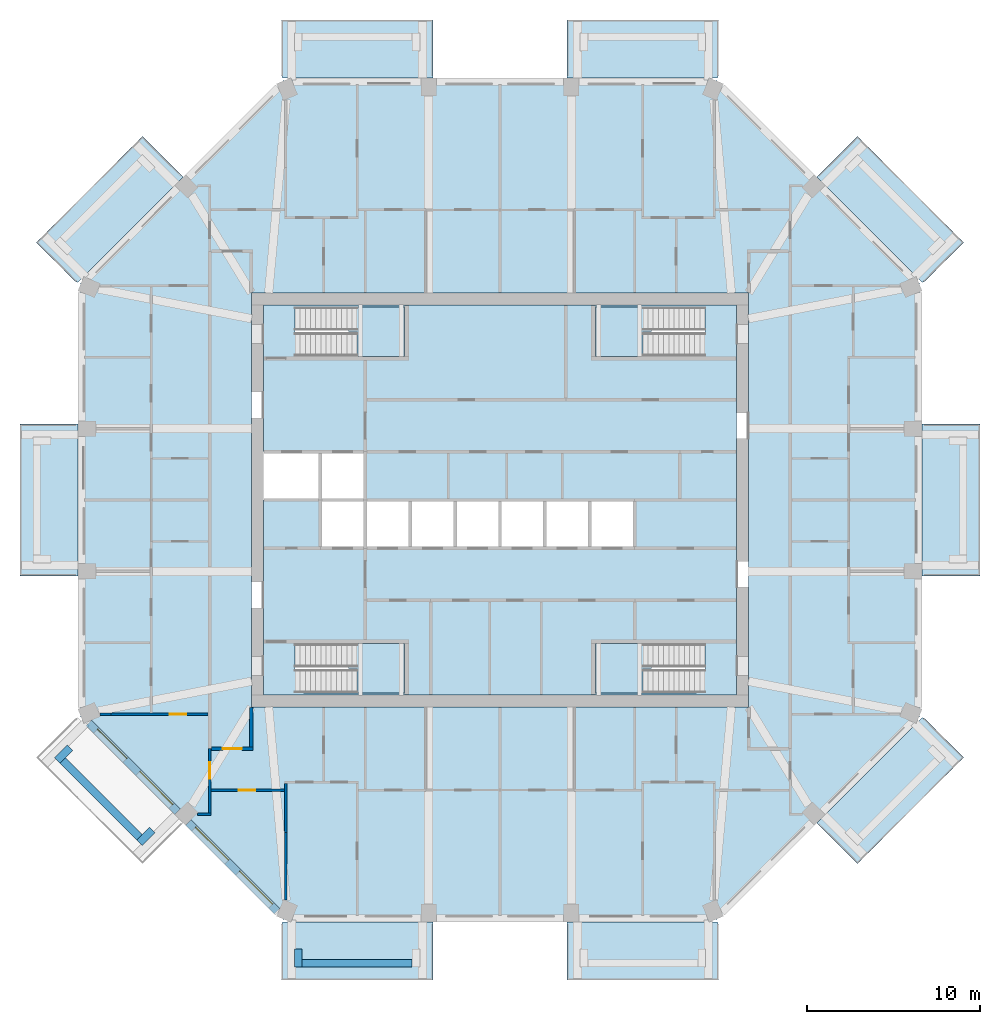
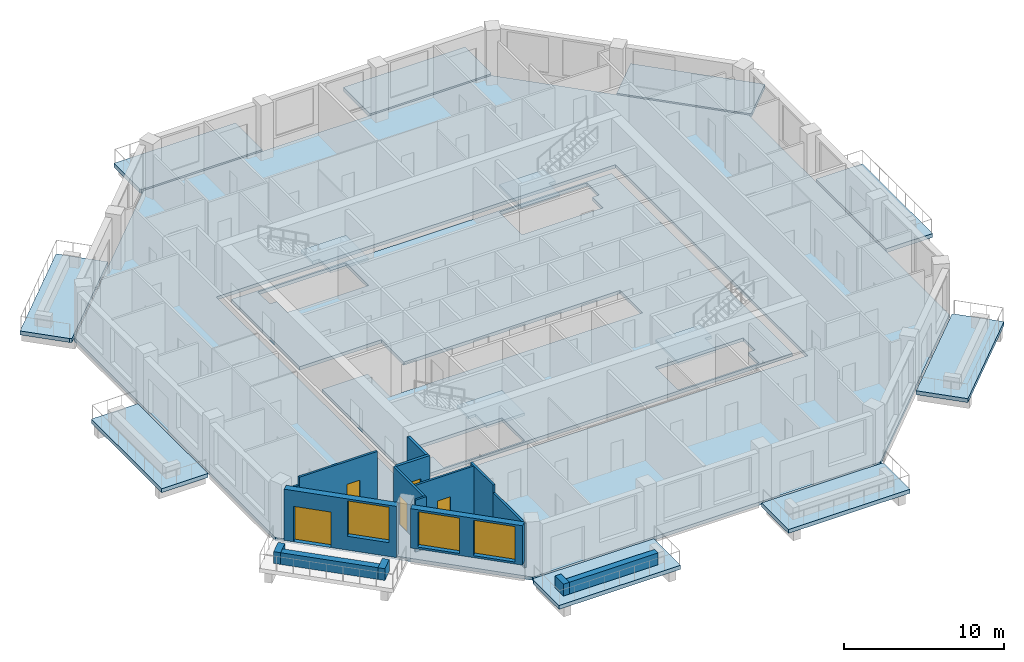
# One storey, part 2 of 12: 16 walls, 15 slabs, 5 doors, 3 windows, 8 openings, 4 elements without a shape of their own.
"""IFC4 building model written with IfcOpenShell, lengths in metres."""

from ifc_helpers import new_model, si_unit, direction, frame, frame_2d, origin, place, context, subcontext, project, spatial, polyline, rectangle, outline, extrude, material, layer, layer_set, type_object, element, fill, aggregate, save


model = new_model("IFC4")

# Units and contexts
model_context = context("Model", 3, precision=1e-05, world=origin(), true_north=direction((0.0, 1.0)))
body_context = subcontext(model_context, "Body", "Model", "MODEL_VIEW")
ifc_project = project(units=[si_unit("LENGTHUNIT", "METRE"), si_unit("AREAUNIT", "SQUARE_METRE"), si_unit("VOLUMEUNIT", "CUBIC_METRE"), si_unit("PLANEANGLEUNIT", "RADIAN"), si_unit("MASSUNIT", "GRAM", prefix="KILO")], contexts=[model_context])

# Site, building, storey
site_placement = place(None, origin())
site = spatial("IfcSite", under=ifc_project, at=site_placement, CompositionType="ELEMENT")
building_placement = place(site_placement, origin())
building = spatial("IfcBuilding", under=site, at=building_placement, Name="Msitu Wima Residences", CompositionType="ELEMENT")
storey_placement = place(building_placement, frame((0.0, 0.0, 174.89990234375)))
storey = spatial("IfcBuildingStorey", under=building, at=storey_placement, Name="L40", CompositionType="ELEMENT", Elevation=174.89990234375)

# Slabs
ifc_material_1 = material(Name="Concrete C40/50", Category="concrete")
ifc_layer_1 = layer(ifc_material_1, 0.300048828125)
ifc_layer_set_1 = layer_set([ifc_layer_1], Name="Concrete C40/50")
slab_type_1 = type_object("IfcSlabType", Name="Balcony slab BS300", PredefinedType="FLOOR", material=ifc_layer_set_1)
slab_1_placement = place(storey_placement, frame((0.0, 0.0, -0.2998046875)))
element("IfcSlab", 1, at=slab_1_placement, inside=storey, type_object=slab_type_1, Name="Balcony E1 L40", PredefinedType="FLOOR", context=body_context, shape_type="SweptSolid", body=[
    extrude(outline(polyline([(24.449951171875, 3.687255859375), (24.449951171875, 4.38720703125), (27.800048828125, 4.38720703125), (27.800048828125, -4.38720703125), (24.449951171875, -4.38720703125), (24.449951171875, -3.687255859375), (24.449951171875, -3.687255859375), (24.449951171875, 3.687255859375)])), origin(), (0.0, 0.0, 1.0), 0.2998046875),
])
slab_2_placement = place(storey_placement, frame((0.0, 0.0, -0.2998046875)))
element("IfcSlab", 2, at=slab_2_placement, inside=storey, type_object=slab_type_1, Name="Balcony NE0 L40", PredefinedType="FLOOR", context=body_context, shape_type="SweptSolid", body=[
    extrude(outline(polyline([(24.10546875, 12.942626953125), (24.10546875, 12.942626953125), (18.347412109375, 18.700927734375), (20.716064453125, 21.069580078125), (26.86376953125, 14.922119140625), (24.603515625, 12.661865234375), (24.449951171875, 12.59814453125), (24.10546875, 12.942626953125), (24.10546875, 12.942626953125)])), origin(), (0.0, 0.0, 1.0), 0.2998046875),
])
slab_3_placement = place(storey_placement, frame((0.0, 0.0, -0.2998046875)))
element("IfcSlab", 3, at=slab_3_placement, inside=storey, type_object=slab_type_1, Name="Balcony N0 L40", PredefinedType="FLOOR", context=body_context, shape_type="SweptSolid", body=[
    extrude(outline(polyline([(12.111083984375, 24.449951171875), (12.111083984375, 24.449951171875), (4.587158203125, 24.449951171875), (3.88720703125, 24.449951171875), (3.88720703125, 27.800048828125), (12.661865234375, 27.800048828125), (12.661865234375, 24.603515625), (12.59814453125, 24.449951171875), (12.111083984375, 24.449951171875), (12.111083984375, 24.449951171875)])), origin(), (0.0, 0.0, 1.0), 0.2998046875),
])
slab_4_placement = place(storey_placement, frame((0.0, 0.0, -0.2998046875)))
element("IfcSlab", 4, at=slab_4_placement, inside=storey, type_object=slab_type_1, Name="Balcony N2 L40", PredefinedType="FLOOR", context=body_context, shape_type="SweptSolid", body=[
    extrude(outline(polyline([(-12.111083984375, 24.449951171875), (-12.111083984375, 24.449951171875), (-12.111083984375, 24.449951171875), (-12.59814453125, 24.449951171875), (-12.661865234375, 24.603515625), (-12.661865234375, 27.800048828125), (-3.88720703125, 27.800048828125), (-3.88720703125, 24.449951171875), (-4.587158203125, 24.449951171875), (-12.111083984375, 24.449951171875)])), origin(), (0.0, 0.0, 1.0), 0.2998046875),
])
slab_5_placement = place(storey_placement, frame((0.0, 0.0, -0.2998046875)))
element("IfcSlab", 5, at=slab_5_placement, inside=storey, type_object=slab_type_1, Name="Balcony NW1 L40", PredefinedType="FLOOR", context=body_context, shape_type="SweptSolid", body=[
    extrude(outline(polyline([(-24.10546875, 12.942626953125), (-24.10546875, 12.942626953125), (-24.449951171875, 12.59814453125), (-24.603515625, 12.661865234375), (-26.86376953125, 14.922119140625), (-20.716064453125, 21.069580078125), (-18.347412109375, 18.700927734375), (-24.10546875, 12.942626953125), (-24.10546875, 12.942626953125)])), origin(), (0.0, 0.0, 1.0), 0.2998046875),
])
slab_6_placement = place(storey_placement, frame((0.0, 0.0, -0.2998046875)))
element("IfcSlab", 6, at=slab_6_placement, inside=storey, type_object=slab_type_1, Name="Balcony W1 L40", PredefinedType="FLOOR", context=body_context, shape_type="SweptSolid", body=[
    extrude(outline(polyline([(-24.449951171875, 3.687255859375), (-24.449951171875, -3.687255859375), (-24.449951171875, -3.687255859375), (-24.449951171875, -4.38720703125), (-27.800048828125, -4.38720703125), (-27.800048828125, 4.38720703125), (-24.449951171875, 4.38720703125), (-24.449951171875, 3.687255859375)])), origin(), (0.0, 0.0, 1.0), 0.2998046875),
])
slab_7_placement = place(storey_placement, frame((0.0, 0.0, -0.2998046875)))
element("IfcSlab", 7, at=slab_7_placement, inside=storey, type_object=slab_type_1, Name="Balcony S0 L40", PredefinedType="FLOOR", context=body_context, shape_type="SweptSolid", body=[
    extrude(outline(polyline([(-12.111083984375, -24.449951171875), (-12.111083984375, -24.449951171875), (-4.587158203125, -24.449951171875), (-3.88720703125, -24.449951171875), (-3.88720703125, -27.800048828125), (-12.661865234375, -27.800048828125), (-12.661865234375, -24.603515625), (-12.59814453125, -24.449951171875), (-12.111083984375, -24.449951171875), (-12.111083984375, -24.449951171875)])), origin(), (0.0, 0.0, 1.0), 0.2998046875),
])
slab_8_placement = place(storey_placement, frame((0.0, 0.0, -0.2998046875)))
element("IfcSlab", 8, at=slab_8_placement, inside=storey, type_object=slab_type_1, Name="Balcony S2 L40", PredefinedType="FLOOR", context=body_context, shape_type="SweptSolid", body=[
    extrude(outline(polyline([(12.111083984375, -24.449951171875), (12.111083984375, -24.449951171875), (12.111083984375, -24.449951171875), (12.59814453125, -24.449951171875), (12.661865234375, -24.603515625), (12.661865234375, -27.800048828125), (3.88720703125, -27.800048828125), (3.88720703125, -24.449951171875), (4.587158203125, -24.449951171875), (12.111083984375, -24.449951171875)])), origin(), (0.0, 0.0, 1.0), 0.2998046875),
])
slab_9_placement = place(storey_placement, frame((0.0, 0.0, -0.2998046875)))
element("IfcSlab", 9, at=slab_9_placement, inside=storey, type_object=slab_type_1, Name="Balcony SE1 L40", PredefinedType="FLOOR", context=body_context, shape_type="SweptSolid", body=[
    extrude(outline(polyline([(24.10546875, -12.942626953125), (24.10546875, -12.942626953125), (24.449951171875, -12.59814453125), (24.603515625, -12.661865234375), (26.86376953125, -14.922119140625), (20.716064453125, -21.069580078125), (18.347412109375, -18.700927734375), (24.10546875, -12.942626953125), (24.10546875, -12.942626953125)])), origin(), (0.0, 0.0, 1.0), 0.2998046875),
])
ifc_layer_2 = layer(ifc_material_1, 0.25)
ifc_layer_set_2 = layer_set([ifc_layer_2], Name="Concrete C40/50")
slab_type_2 = type_object("IfcSlabType", Name="Core floor CF250", PredefinedType="FLOOR", material=ifc_layer_set_2)
slab_10_placement = place(storey_placement, frame((0.0, 0.0, -0.25)))
element("IfcSlab", 10, at=slab_10_placement, inside=storey, type_object=slab_type_2, Name="Core floor", PredefinedType="FLOOR", context=body_context, shape_type="SweptSolid", body=[
    extrude(outline(polyline([(-13.699951171875, 11.300048828125), (-13.699951171875, 2.800048828125), (-10.39990234375, 2.800048828125), (-7.800048828125, 2.800048828125), (-7.800048828125, 0.0), (-5.199951171875, 0.0), (-2.60009765625, 0.0), (0.0, 0.0), (2.60009765625, 0.0), (5.199951171875, 0.0), (7.800048828125, 0.0), (7.800048828125, -2.800048828125), (5.199951171875, -2.800048828125), (2.60009765625, -2.800048828125), (0.0, -2.800048828125), (-2.60009765625, -2.800048828125), (-5.199951171875, -2.800048828125), (-7.800048828125, -2.800048828125), (-10.39990234375, -2.800048828125), (-10.39990234375, 0.0), (-13.699951171875, 0.0), (-13.699951171875, -11.300048828125), (13.699951171875, -11.300048828125), (13.699951171875, 11.300048828125), (-13.699951171875, 11.300048828125)]), holes=[polyline([(-11.375, -11.175048828125), (-11.375, -9.824951171875), (-11.87451171875, -9.824951171875), (-11.87451171875, -8.324951171875), (-5.52490234375, -8.324951171875), (-5.52490234375, -11.175048828125), (-11.375, -11.175048828125)]), polyline([(-11.375, 8.324951171875), (-11.375, 9.675048828125), (-11.87451171875, 9.675048828125), (-11.87451171875, 11.175048828125), (-5.52490234375, 11.175048828125), (-5.52490234375, 8.324951171875), (-11.375, 8.324951171875)]), polyline([(11.375, -9.824951171875), (11.375, -11.175048828125), (5.52490234375, -11.175048828125), (5.52490234375, -8.324951171875), (11.87451171875, -8.324951171875), (11.87451171875, -9.824951171875), (11.375, -9.824951171875)]), polyline([(11.375, 9.675048828125), (11.375, 8.324951171875), (5.52490234375, 8.324951171875), (5.52490234375, 11.175048828125), (11.87451171875, 11.175048828125), (11.87451171875, 9.675048828125), (11.375, 9.675048828125)])]), origin(), (0.0, 0.0, 1.0), 0.25),
])
ifc_layer_3 = layer(ifc_material_1, 0.25)
ifc_layer_set_3 = layer_set([ifc_layer_3], Name="Concrete C40/50")
slab_type_3 = type_object("IfcSlabType", Name="PT flat slab 250 Concrete C40/50", PredefinedType="FLOOR", material=ifc_layer_set_3)
slab_11_placement = place(storey_placement, frame((0.0, 0.0, -0.25)))
element("IfcSlab", 11, at=slab_11_placement, inside=storey, type_object=slab_type_3, Name="Floor slab L40", PredefinedType="FLOOR", context=body_context, shape_type="SweptSolid", body=[
    extrude(outline(polyline([(24.300048828125, -12.5361328125), (12.5361328125, -24.300048828125), (-12.5361328125, -24.300048828125), (-24.300048828125, -12.5361328125), (-24.300048828125, 12.5361328125), (-12.5361328125, 24.300048828125), (12.5361328125, 24.300048828125), (24.300048828125, 12.5361328125), (24.300048828125, -12.5361328125)]), holes=[polyline([(-14.39990234375, -12.0), (14.39990234375, -12.0), (14.39990234375, 12.0), (-14.39990234375, 12.0), (-14.39990234375, -12.0)])]), origin(), (0.0, 0.0, 1.0), 0.25),
])

# Stair, slab
stair_type = type_object("IfcStairType", Name="Exit stair ES1615-135", PredefinedType="HALF_TURN_STAIR", material=ifc_material_1)
stair_1_placement = place(storey_placement, origin())
stair_1 = element("IfcStair", 12, at=stair_1_placement, inside=storey, type_object=stair_type, Name="Exit stair 1", PredefinedType="HALF_TURN_STAIR")
ifc_layer_4 = layer(ifc_material_1, 0.199951171875)
ifc_layer_set_4 = layer_set([ifc_layer_4], Name="Concrete C40/50")
slab_type_4 = type_object("IfcSlabType", Name="Stair landing SL200", PredefinedType="LANDING", material=ifc_layer_set_4)
slab_12_placement = place(storey_placement, frame((0.0, 0.0, 1.900146484375)))
slab_12 = element("IfcSlab", 13, at=slab_12_placement, type_object=slab_type_4, Name="S1 landing 1", PredefinedType="LANDING", context=body_context, shape_type="SweptSolid", body=[
    extrude(outline(polyline([(-5.52490234375, 8.324951171875), (-8.275390625, 8.324951171875), (-8.275390625, 9.75), (-8.77490234375, 9.75), (-8.77490234375, 11.175048828125), (-5.52490234375, 11.175048828125), (-5.52490234375, 8.324951171875)])), origin(), (0.0, 0.0, 1.0), 0.199951171875),
])
aggregate(stair_1, [slab_12])

stair_2_placement = place(storey_placement, origin())
stair_2 = element("IfcStair", 14, at=stair_2_placement, inside=storey, type_object=stair_type, Name="Exit stair 2", PredefinedType="HALF_TURN_STAIR")
slab_13_placement = place(storey_placement, frame((0.0, 0.0, 1.900146484375)))
slab_13 = element("IfcSlab", 15, at=slab_13_placement, type_object=slab_type_4, Name="S2 landing 1", PredefinedType="LANDING", context=body_context, shape_type="SweptSolid", body=[
    extrude(outline(polyline([(-5.52490234375, -11.175048828125), (-8.275390625, -11.175048828125), (-8.275390625, -9.75), (-8.77490234375, -9.75), (-8.77490234375, -8.324951171875), (-5.52490234375, -8.324951171875), (-5.52490234375, -11.175048828125)])), origin(), (0.0, 0.0, 1.0), 0.199951171875),
])
aggregate(stair_2, [slab_13])

stair_3_placement = place(storey_placement, origin())
stair_3 = element("IfcStair", 16, at=stair_3_placement, inside=storey, type_object=stair_type, Name="Exit stair 3", PredefinedType="HALF_TURN_STAIR")
slab_14_placement = place(storey_placement, frame((0.0, 0.0, 1.900146484375)))
slab_14 = element("IfcSlab", 17, at=slab_14_placement, type_object=slab_type_4, Name="S3 landing 1", PredefinedType="LANDING", context=body_context, shape_type="SweptSolid", body=[
    extrude(outline(polyline([(5.52490234375, 8.324951171875), (8.275390625, 8.324951171875), (8.275390625, 9.75), (8.77490234375, 9.75), (8.77490234375, 11.175048828125), (5.52490234375, 11.175048828125), (5.52490234375, 8.324951171875)])), origin(), (0.0, 0.0, 1.0), 0.199951171875),
])
aggregate(stair_3, [slab_14])

stair_4_placement = place(storey_placement, origin())
stair_4 = element("IfcStair", 18, at=stair_4_placement, inside=storey, type_object=stair_type, Name="Exit stair 4", PredefinedType="HALF_TURN_STAIR")
slab_15_placement = place(storey_placement, frame((0.0, 0.0, 1.900146484375)))
slab_15 = element("IfcSlab", 19, at=slab_15_placement, type_object=slab_type_4, Name="S4 landing 1", PredefinedType="LANDING", context=body_context, shape_type="SweptSolid", body=[
    extrude(outline(polyline([(5.52490234375, -11.175048828125), (8.275390625, -11.175048828125), (8.275390625, -9.75), (8.77490234375, -9.75), (8.77490234375, -8.324951171875), (5.52490234375, -8.324951171875), (5.52490234375, -11.175048828125)])), origin(), (0.0, 0.0, 1.0), 0.199951171875),
])
aggregate(stair_4, [slab_15])

# Walls
ifc_material_2 = material(Name="Facing brick")
ifc_layer_5 = layer(ifc_material_2, 0.06494140625, Name="Facing brick")
ifc_layer_6 = layer(ifc_material_1, 0.156005859375, Name="Concrete C40/50")
ifc_material_3 = material(Name="Waterproofing membrane")
ifc_layer_7 = layer(ifc_material_3, 0.00390625, Name="Waterproofing membrane")
ifc_material_4 = material(Name="Planting soil and planting")
ifc_layer_8 = layer(ifc_material_4, 0.22509765625, Name="Planting soil and planting")
ifc_layer_set_5 = layer_set([ifc_layer_5, ifc_layer_6, ifc_layer_7, ifc_layer_8], Name="Concrete C40/50")
wall_type_1 = type_object("IfcWallType", Name="Balcony planter PLANTER PL450", PredefinedType="USERDEFINED", material=ifc_layer_set_5)
wall_1_placement = place(storey_placement, frame((-25.325927734375, -15.0810546875, 0.0), z_axis=(0.0, 0.0, 1.0), x_axis=(0.707106781187, -0.707106781187, 0.0)))
element("IfcWall", 20, at=wall_1_placement, inside=storey, type_object=wall_type_1, Name="Balcony planter SW0 L40", ObjectType="PLANTER", PredefinedType="USERDEFINED", context=body_context, shape_type="SweptSolid", body=[
    extrude(rectangle(XDim=6.294189453125, YDim=0.449951171875, at=frame_2d((3.14697265625, 0.0))), origin(), (0.0, 0.0, 1.0), 0.900146484375),
])
for number, where, z_axis, x_axis, name in (
    (21, (-24.901611328125, -14.338623046875, 0.0), (0.0, 0.0, 1.0), (-0.707106781187, -0.707106781187, 0.0), "Balcony planter SW0 L40"),
    (22, (-20.1328125, -19.107421875, 0.0), (0.0, 0.0, 1.0), (-0.707106781187, -0.707106781187, 0.0), "Balcony planter SW0 L40"),
):
    element("IfcWall", number, at=place(storey_placement, frame(where, z_axis=z_axis, x_axis=x_axis)), inside=storey, type_object=wall_type_1, Name=name, ObjectType="PLANTER", PredefinedType="USERDEFINED", context=body_context, shape_type="SweptSolid", body=[
        extrude(rectangle(XDim=1.050048828125, YDim=0.449951171875, at=frame_2d((0.52490234375, 0.0))), origin(), (0.0, 0.0, 1.0), 0.900146484375),
    ])
wall_2_placement = place(storey_placement, frame((-11.461669921875, -26.824951171875, 0.0), z_axis=(0.0, 0.0, 1.0), x_axis=(1.0, 0.0, 0.0)))
element("IfcWall", 23, at=wall_2_placement, inside=storey, type_object=wall_type_1, Name="Balcony planter S0 L40", ObjectType="PLANTER", PredefinedType="USERDEFINED", context=body_context, shape_type="SweptSolid", body=[
    extrude(rectangle(XDim=6.37451171875, YDim=0.449951171875, at=frame_2d((3.187255859375, 0.0))), origin(), (0.0, 0.0, 1.0), 0.900146484375),
])
wall_3_placement = place(storey_placement, frame((-11.686767578125, -26.0, 0.0), z_axis=(0.0, 0.0, 1.0), x_axis=(0.0, -1.0, 0.0)))
element("IfcWall", 24, at=wall_3_placement, inside=storey, type_object=wall_type_1, Name="Balcony planter S0 L40", ObjectType="PLANTER", PredefinedType="USERDEFINED", context=body_context, shape_type="SweptSolid", body=[
    extrude(rectangle(XDim=1.050048828125, YDim=0.449951171875, at=frame_2d((0.52490234375, 0.0))), origin(), (0.0, 0.0, 1.0), 0.900146484375),
])

# Wall, openings, door, window
ifc_material_5 = material(Name="Brick (red buff mix)", Category="masonry")
ifc_layer_9 = layer(ifc_material_5, 0.449951171875)
ifc_layer_set_6 = layer_set([ifc_layer_9], Name="Brick (red buff mix)")
wall_type_2 = type_object("IfcWallType", Name="Brick infill wall BW450", PredefinedType="SOLIDWALL", material=ifc_layer_set_6)
wall_4_placement = place(storey_placement, frame((-23.814697265625, -12.915283203125, 0.0), z_axis=(0.0, 0.0, 1.0), x_axis=(0.707106781187, -0.707106781187, 0.0)))
wall_4 = element("IfcWall", 25, at=wall_4_placement, inside=storey, type_object=wall_type_2, Name="Brick infill wall L40 SW0", PredefinedType="SOLIDWALL", context=body_context, shape_type="SweptSolid", body=[
    extrude(rectangle(XDim=7.257080078125, YDim=0.449951171875, at=frame_2d((3.62841796875, 0.0))), origin(), (0.0, 0.0, 1.0), 3.900146484375),
])
opening_1_placement = place(wall_4_placement, frame((0.6142578125, 0.0, 0.0)))
opening_1 = element("IfcOpeningElement", 26, at=opening_1_placement, cuts=wall_4, Name="Opening D40-42.009", PredefinedType="OPENING", context=body_context, shape_type="SweptSolid", body=[
    extrude(rectangle(XDim=2.39990234375, YDim=2.699951171875, at=frame_2d((1.199951171875, 1.35009765625))), frame((0.0, 0.23486328125, 0.0), z_axis=(0.0, -1.0, 0.0), x_axis=(1.0, 0.0, 0.0)), (0.0, 0.0, 1.0), 0.469970703125),
])
opening_2_placement = place(wall_4_placement, frame((4.07861328125, 0.0, 1.050048828125)))
opening_2 = element("IfcOpeningElement", 27, at=opening_2_placement, cuts=wall_4, Name="Opening W40-42.023", PredefinedType="OPENING", context=body_context, shape_type="SweptSolid", body=[
    extrude(rectangle(XDim=2.699951171875, YDim=2.699951171875, at=frame_2d((1.35009765625, 1.35009765625))), frame((0.0, 0.23486328125, 0.0), z_axis=(0.0, -1.0, 0.0), x_axis=(1.0, 0.0, 0.0)), (0.0, 0.0, 1.0), 0.469970703125),
])
ifc_material_6 = material(Name="Anodised aluminium, bronze finish, clear low-emissivity double glazing", Category="aluminium")
door_type_1 = type_object("IfcDoorType", Name="Balcony door D2400x2700", OperationType="SLIDING_TO_LEFT", PredefinedType="DOOR", material=ifc_material_6)
door_1_placement = place(opening_1_placement, origin())
door_1 = element("IfcDoor", 28, at=door_1_placement, inside=storey, type_object=door_type_1, Name="Balcony door L40 SW0", OperationType="SINGLE_SWING_LEFT", OverallHeight=2.699951171875, OverallWidth=2.39990234375, PredefinedType="DOOR", context=body_context, shape_type="SweptSolid", body=[
    extrude(rectangle(XDim=2.39990234375, YDim=2.699951171875, at=frame_2d((1.199951171875, 1.35009765625))), frame((0.0, 0.1298828125, 0.0), z_axis=(0.0, -1.0, 0.0), x_axis=(1.0, 0.0, 0.0)), (0.0, 0.0, 1.0), 0.050048828125),
])
fill(opening_1, door_1)
window_type = type_object("IfcWindowType", Name="Window W2700x2700", PartitioningType="DOUBLE_PANEL_VERTICAL", PredefinedType="WINDOW", material=ifc_material_6)
window_1_placement = place(opening_2_placement, origin())
window_1 = element("IfcWindow", 29, at=window_1_placement, inside=storey, type_object=window_type, Name="Window L40 SW0.2", OverallHeight=2.699951171875, OverallWidth=2.699951171875, PartitioningType="SINGLE_PANEL", PredefinedType="WINDOW", context=body_context, shape_type="SweptSolid", body=[
    extrude(rectangle(XDim=2.699951171875, YDim=2.699951171875, at=frame_2d((1.35009765625, 1.35009765625))), frame((0.0, 0.135009765625, 0.0), z_axis=(0.0, -1.0, 0.0), x_axis=(1.0, 0.0, 0.0)), (0.0, 0.0, 1.0), 0.06005859375),
])
fill(opening_2, window_1)

# Wall, openings, windows
wall_5_placement = place(storey_placement, frame((-18.046875, -18.68310546875, 0.900146484375), z_axis=(0.0, 0.0, 1.0), x_axis=(0.707106781187, -0.707106781187, 0.0)))
wall_5 = element("IfcWall", 30, at=wall_5_placement, inside=storey, type_object=wall_type_2, Name="Brick infill wall L40 SW1", PredefinedType="SOLIDWALL", context=body_context, shape_type="SweptSolid", body=[
    extrude(rectangle(XDim=7.257080078125, YDim=0.449951171875, at=frame_2d((3.62841796875, 0.0))), origin(), (0.0, 0.0, 1.0), 3.0),
])
opening_3_placement = place(wall_5_placement, frame((0.478515625, 0.0, 0.14990234375)))
opening_3 = element("IfcOpeningElement", 31, at=opening_3_placement, cuts=wall_5, Name="Opening W40-42.024", PredefinedType="OPENING", context=body_context, shape_type="SweptSolid", body=[
    extrude(rectangle(XDim=2.699951171875, YDim=2.699951171875, at=frame_2d((1.35009765625, 1.35009765625))), frame((0.0, 0.23486328125, 0.0), z_axis=(0.0, -1.0, 0.0), x_axis=(1.0, 0.0, 0.0)), (0.0, 0.0, 1.0), 0.469970703125),
])
opening_4_placement = place(wall_5_placement, frame((4.07861328125, 0.0, 0.14990234375)))
opening_4 = element("IfcOpeningElement", 32, at=opening_4_placement, cuts=wall_5, Name="Opening W40-42.025", PredefinedType="OPENING", context=body_context, shape_type="SweptSolid", body=[
    extrude(rectangle(XDim=2.699951171875, YDim=2.699951171875, at=frame_2d((1.35009765625, 1.35009765625))), frame((0.0, 0.23486328125, 0.0), z_axis=(0.0, -1.0, 0.0), x_axis=(1.0, 0.0, 0.0)), (0.0, 0.0, 1.0), 0.469970703125),
])
window_2_placement = place(opening_3_placement, origin())
window_2 = element("IfcWindow", 33, at=window_2_placement, inside=storey, type_object=window_type, Name="Window L40 SW1.1", OverallHeight=2.699951171875, OverallWidth=2.699951171875, PartitioningType="SINGLE_PANEL", PredefinedType="WINDOW", context=body_context, shape_type="SweptSolid", body=[
    extrude(rectangle(XDim=2.699951171875, YDim=2.699951171875, at=frame_2d((1.35009765625, 1.35009765625))), frame((0.0, 0.135009765625, 0.0), z_axis=(0.0, -1.0, 0.0), x_axis=(1.0, 0.0, 0.0)), (0.0, 0.0, 1.0), 0.06005859375),
])
fill(opening_3, window_2)
window_3_placement = place(opening_4_placement, origin())
window_3 = element("IfcWindow", 34, at=window_3_placement, inside=storey, type_object=window_type, Name="Window L40 SW1.2", OverallHeight=2.699951171875, OverallWidth=2.699951171875, PartitioningType="SINGLE_PANEL", PredefinedType="WINDOW", context=body_context, shape_type="SweptSolid", body=[
    extrude(rectangle(XDim=2.699951171875, YDim=2.699951171875, at=frame_2d((1.35009765625, 1.35009765625))), frame((0.0, 0.135009765625, 0.0), z_axis=(0.0, -1.0, 0.0), x_axis=(1.0, 0.0, 0.0)), (0.0, 0.0, 1.0), 0.06005859375),
])
fill(opening_4, window_3)

# Wall, opening, door
ifc_material_7 = material(Name="Plaster")
ifc_layer_10 = layer(ifc_material_7, 0.011962890625, Name="Plaster")
ifc_material_8 = material(Name="Concrete blockwork", Category="masonry")
ifc_layer_11 = layer(ifc_material_8, 0.176025390625, Name="Concrete blockwork")
ifc_layer_12 = layer(ifc_material_7, 0.011962890625, Name="Plaster")
ifc_layer_set_7 = layer_set([ifc_layer_10, ifc_layer_11, ifc_layer_12], Name="Concrete blockwork")
wall_type_3 = type_object("IfcWallType", Name="Corridor wall FW200", PredefinedType="PARTITIONING", material=ifc_layer_set_7)
wall_6_placement = place(storey_placement, frame((-16.699951171875, -14.39990234375, 0.0), z_axis=(0.0, 0.0, 1.0), x_axis=(1.0, 0.0, 0.0)))
wall_6 = element("IfcWall", 35, at=wall_6_placement, inside=storey, type_object=wall_type_3, Name="Corridor wall", PredefinedType="PARTITIONING", context=body_context, shape_type="SweptSolid", body=[
    extrude(rectangle(XDim=2.39990234375, YDim=0.199951171875, at=frame_2d((1.199951171875, 0.0))), origin(), (0.0, 0.0, 1.0), 3.9501953125),
])
opening_5_placement = place(wall_6_placement, frame((0.64990234375, 0.0, 0.0)))
opening_5 = element("IfcOpeningElement", 36, at=opening_5_placement, cuts=wall_6, Name="Opening D40-42.039", PredefinedType="OPENING", context=body_context, shape_type="SweptSolid", body=[
    extrude(rectangle(XDim=1.10009765625, YDim=2.39990234375, at=frame_2d((0.550048828125, 1.199951171875))), frame((0.0, 0.10986328125, 0.0), z_axis=(0.0, -1.0, 0.0), x_axis=(1.0, 0.0, 0.0)), (0.0, 0.0, 1.0), 0.219970703125),
])
ifc_material_9 = material(Name="Timber flush door, fire resisting, self-closing", Category="wood")
door_type_2 = type_object("IfcDoorType", Name="Flat entrance door D01 1100x2400", OperationType="SINGLE_SWING_LEFT", PredefinedType="DOOR", material=ifc_material_9)
door_2_placement = place(opening_5_placement, origin())
door_2 = element("IfcDoor", 37, at=door_2_placement, inside=storey, type_object=door_type_2, Name="Flat entrance door", OperationType="SINGLE_SWING_RIGHT", OverallHeight=2.39990234375, OverallWidth=1.10009765625, PredefinedType="DOOR", context=body_context, shape_type="SweptSolid", body=[
    extrude(rectangle(XDim=1.10009765625, YDim=2.39990234375, at=frame_2d((0.550048828125, 1.199951171875))), frame((0.0, 0.02490234375, 0.0), z_axis=(0.0, -1.0, 0.0), x_axis=(1.0, 0.0, 0.0)), (0.0, 0.0, 1.0), 0.050048828125),
])
fill(opening_5, door_2)

# Walls
wall_7_placement = place(storey_placement, frame((-14.39990234375, -14.300048828125, 0.0), z_axis=(0.0, 0.0, 1.0), x_axis=(0.0, 1.0, 0.0)))
element("IfcWall", 38, at=wall_7_placement, inside=storey, type_object=wall_type_3, Name="Corridor wall", PredefinedType="PARTITIONING", context=body_context, shape_type="SweptSolid", body=[
    extrude(rectangle(XDim=2.27001953125, YDim=0.199951171875, at=frame_2d((1.135009765625, 0.0))), origin(), (0.0, 0.0, 1.0), 3.9501953125),
])
ifc_layer_13 = layer(ifc_material_7, 0.011962890625, Name="Plaster")
ifc_layer_14 = layer(ifc_material_8, 0.1259765625, Name="Concrete blockwork")
ifc_layer_15 = layer(ifc_material_7, 0.011962890625, Name="Plaster")
ifc_layer_set_8 = layer_set([ifc_layer_13, ifc_layer_14, ifc_layer_15], Name="Concrete blockwork")
wall_type_4 = type_object("IfcWallType", Name="Partition PW150", PredefinedType="PARTITIONING", material=ifc_layer_set_8)
wall_8_placement = place(storey_placement, frame((-23.1689453125, -12.411865234375, 0.0), z_axis=(0.0, 0.0, 1.0), x_axis=(1.0, 0.0, 0.0)))
element("IfcWall", 39, at=wall_8_placement, inside=storey, type_object=wall_type_4, Name="Partition", PredefinedType="PARTITIONING", context=body_context, shape_type="SweptSolid", body=[
    extrude(rectangle(XDim=0.630615234375, YDim=0.14990234375, at=frame_2d((0.3154296875, 0.0))), origin(), (0.0, 0.0, 1.0), 3.35009765625),
])

# Wall, opening, door
wall_9_placement = place(storey_placement, frame((-22.538330078125, -12.411865234375, 0.0), z_axis=(0.0, 0.0, 1.0), x_axis=(1.0, 0.0, 0.0)))
wall_9 = element("IfcWall", 40, at=wall_9_placement, inside=storey, type_object=wall_type_4, Name="Partition", PredefinedType="PARTITIONING", context=body_context, shape_type="SweptSolid", body=[
    extrude(rectangle(XDim=5.638427734375, YDim=0.14990234375, at=frame_2d((2.8193359375, 0.0))), origin(), (0.0, 0.0, 1.0), 3.9501953125),
])
opening_6_placement = place(wall_9_placement, frame((3.41943359375, 0.0, 0.0)))
opening_6 = element("IfcOpeningElement", 41, at=opening_6_placement, cuts=wall_9, Name="Opening D40-42.049", PredefinedType="OPENING", context=body_context, shape_type="SweptSolid", body=[
    extrude(rectangle(XDim=0.949951171875, YDim=2.199951171875, at=frame_2d((0.47509765625, 1.10009765625))), frame((0.0, 0.0849609375, 0.0), z_axis=(0.0, -1.0, 0.0), x_axis=(1.0, 0.0, 0.0)), (0.0, 0.0, 1.0), 0.169921875),
])
ifc_material_10 = material(Name="Timber flush door", Category="wood")
door_type_3 = type_object("IfcDoorType", Name="Room door D12 950x2200", OperationType="SINGLE_SWING_LEFT", PredefinedType="DOOR", material=ifc_material_10)
door_3_placement = place(opening_6_placement, origin())
door_3 = element("IfcDoor", 42, at=door_3_placement, inside=storey, type_object=door_type_3, Name="Room door", OperationType="SINGLE_SWING_LEFT", OverallHeight=2.199951171875, OverallWidth=0.949951171875, PredefinedType="DOOR", context=body_context, shape_type="SweptSolid", body=[
    extrude(rectangle(XDim=0.949951171875, YDim=2.199951171875, at=frame_2d((0.47509765625, 1.10009765625))), frame((0.0, 0.02490234375, 0.0), z_axis=(0.0, -1.0, 0.0), x_axis=(1.0, 0.0, 0.0)), (0.0, 0.0, 1.0), 0.050048828125),
])
fill(opening_6, door_3)

# Wall
wall_10_placement = place(storey_placement, frame((-17.509521484375, -18.205810546875, 0.0), z_axis=(0.0, 0.0, 1.0), x_axis=(1.0, 0.0, 0.0)))
element("IfcWall", 43, at=wall_10_placement, inside=storey, type_object=wall_type_4, Name="Partition", PredefinedType="PARTITIONING", context=body_context, shape_type="SweptSolid", body=[
    extrude(rectangle(XDim=0.784423828125, YDim=0.14990234375, at=frame_2d((0.39208984375, 0.0))), origin(), (0.0, 0.0, 1.0), 3.9501953125),
])

# Wall, opening, door
wall_11_placement = place(storey_placement, frame((-16.800048828125, -18.130859375, 0.0), z_axis=(0.0, 0.0, 1.0), x_axis=(0.0, 1.0, 0.0)))
wall_11 = element("IfcWall", 44, at=wall_11_placement, inside=storey, type_object=wall_type_4, Name="Partition", PredefinedType="PARTITIONING", context=body_context, shape_type="SweptSolid", body=[
    extrude(rectangle(XDim=3.73095703125, YDim=0.14990234375, at=frame_2d((1.865478515625, 0.0))), origin(), (0.0, 0.0, 1.0), 3.9501953125),
])
opening_7_placement = place(wall_11_placement, frame((2.0, 0.0, 0.0)))
opening_7 = element("IfcOpeningElement", 45, at=opening_7_placement, cuts=wall_11, Name="Opening D40-42.047", PredefinedType="OPENING", context=body_context, shape_type="SweptSolid", body=[
    extrude(rectangle(XDim=0.949951171875, YDim=2.199951171875, at=frame_2d((0.47509765625, 1.10009765625))), frame((0.0, 0.0849609375, 0.0), z_axis=(0.0, -1.0, 0.0), x_axis=(1.0, 0.0, 0.0)), (0.0, 0.0, 1.0), 0.169921875),
])
door_4_placement = place(opening_7_placement, origin())
door_4 = element("IfcDoor", 46, at=door_4_placement, inside=storey, type_object=door_type_3, Name="Room door", OperationType="SINGLE_SWING_LEFT", OverallHeight=2.199951171875, OverallWidth=0.949951171875, PredefinedType="DOOR", context=body_context, shape_type="SweptSolid", body=[
    extrude(rectangle(XDim=0.949951171875, YDim=2.199951171875, at=frame_2d((0.47509765625, 1.10009765625))), frame((0.0, 0.02490234375, 0.0), z_axis=(0.0, -1.0, 0.0), x_axis=(1.0, 0.0, 0.0)), (0.0, 0.0, 1.0), 0.050048828125),
])
fill(opening_7, door_4)

wall_12_placement = place(storey_placement, frame((-16.72509765625, -16.800048828125, 0.0), z_axis=(0.0, 0.0, 1.0), x_axis=(1.0, 0.0, 0.0)))
wall_12 = element("IfcWall", 47, at=wall_12_placement, inside=storey, type_object=wall_type_4, Name="Partition", PredefinedType="PARTITIONING", context=body_context, shape_type="SweptSolid", body=[
    extrude(rectangle(XDim=4.23828125, YDim=0.14990234375, at=frame_2d((2.119140625, 0.0))), origin(), (0.0, 0.0, 1.0), 3.9501953125),
])
opening_8_placement = place(wall_12_placement, frame((1.60009765625, 0.0, 0.0)))
opening_8 = element("IfcOpeningElement", 48, at=opening_8_placement, cuts=wall_12, Name="Opening D40-42.046", PredefinedType="OPENING", context=body_context, shape_type="SweptSolid", body=[
    extrude(rectangle(XDim=0.949951171875, YDim=2.199951171875, at=frame_2d((0.47509765625, 1.10009765625))), frame((0.0, 0.0849609375, 0.0), z_axis=(0.0, -1.0, 0.0), x_axis=(1.0, 0.0, 0.0)), (0.0, 0.0, 1.0), 0.169921875),
])
door_5_placement = place(opening_8_placement, origin())
door_5 = element("IfcDoor", 49, at=door_5_placement, inside=storey, type_object=door_type_3, Name="Room door", OperationType="SINGLE_SWING_RIGHT", OverallHeight=2.199951171875, OverallWidth=0.949951171875, PredefinedType="DOOR", context=body_context, shape_type="SweptSolid", body=[
    extrude(rectangle(XDim=0.949951171875, YDim=2.199951171875, at=frame_2d((0.47509765625, 1.10009765625))), frame((0.0, 0.02490234375, 0.0), z_axis=(0.0, -1.0, 0.0), x_axis=(1.0, 0.0, 0.0)), (0.0, 0.0, 1.0), 0.050048828125),
])
fill(opening_8, door_5)

# Walls
wall_13_placement = place(storey_placement, frame((-12.411865234375, -23.1689453125, 0.0), z_axis=(0.0, 0.0, 1.0), x_axis=(0.0, 1.0, 0.0)))
element("IfcWall", 50, at=wall_13_placement, inside=storey, type_object=wall_type_4, Name="Partition", PredefinedType="PARTITIONING", context=body_context, shape_type="SweptSolid", body=[
    extrude(rectangle(XDim=3.8984375, YDim=0.14990234375, at=frame_2d((1.94921875, 0.0))), origin(), (0.0, 0.0, 1.0), 3.35009765625),
])
wall_14_placement = place(storey_placement, frame((-12.411865234375, -19.2705078125, 0.0), z_axis=(0.0, 0.0, 1.0), x_axis=(0.0, 1.0, 0.0)))
element("IfcWall", 51, at=wall_14_placement, inside=storey, type_object=wall_type_4, Name="Partition", PredefinedType="PARTITIONING", context=body_context, shape_type="SweptSolid", body=[
    extrude(rectangle(XDim=2.845458984375, YDim=0.14990234375, at=frame_2d((1.4228515625, 0.0))), origin(), (0.0, 0.0, 1.0), 3.9501953125),
])

save(model, "model.ifc")
